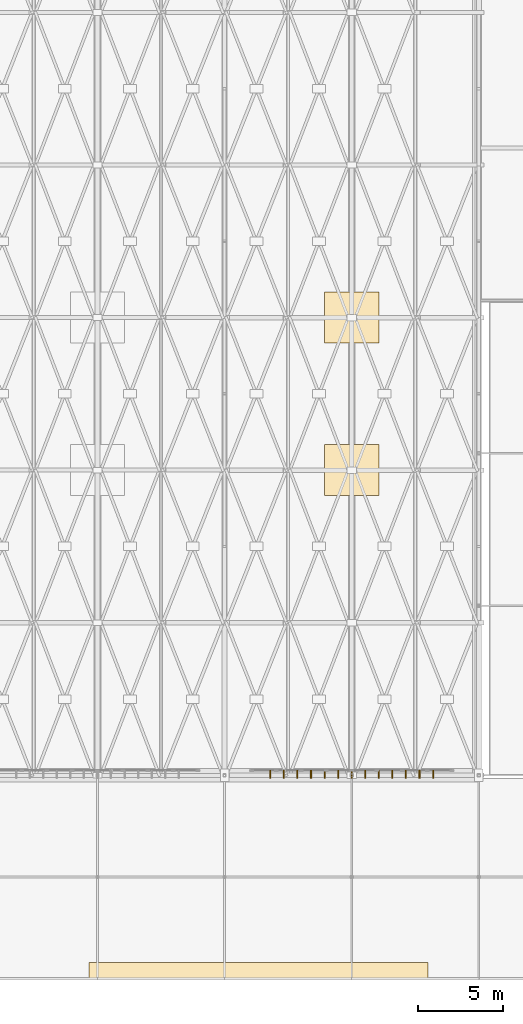
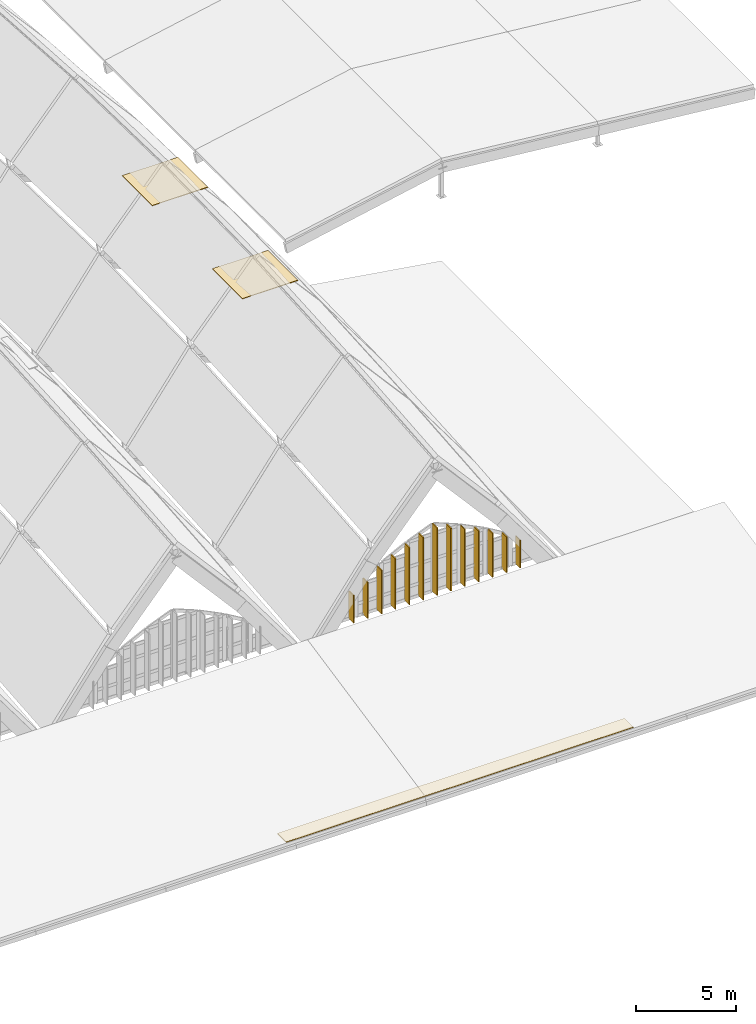
# One storey, part 92 of 93: 13 shading devices, 3 coverings.
"""IFC4 building model written with IfcOpenShell, lengths in metres."""

from ifc_helpers import new_model, si_unit, direction, frame, origin, origin_2d, place, context, subcontext, project, spatial, polyline, rectangle, outline, extrude, material, layer, layer_set, material_profile, profile_set, type_object, element, save


model = new_model("IFC4")

# Units and contexts
model_context = context("Model", 3, precision=1e-05, world=origin(), true_north=direction((0.0, 1.0)))
body_context = subcontext(model_context, "Body", "Model", "MODEL_VIEW")
ifc_project = project(units=[si_unit("LENGTHUNIT", "METRE"), si_unit("AREAUNIT", "SQUARE_METRE"), si_unit("VOLUMEUNIT", "CUBIC_METRE"), si_unit("PLANEANGLEUNIT", "RADIAN"), si_unit("MASSUNIT", "GRAM", prefix="KILO")], contexts=[model_context])

# Site, building, storey
site_placement = place(None, origin())
site = spatial("IfcSite", under=ifc_project, at=site_placement, CompositionType="ELEMENT")
building_placement = place(site_placement, origin())
building = spatial("IfcBuilding", under=site, at=building_placement, Name="Vourika Railside Aquatics Centre", CompositionType="ELEMENT")
storey_placement = place(building_placement, frame((0.0, 0.0, 21.89990234375)))
storey = spatial("IfcBuildingStorey", under=building, at=storey_placement, Name="Roof", CompositionType="ELEMENT", Elevation=21.89990234375)

# Coverings
ifc_material_1 = material(Name="Anodized aluminium", Category="aluminium")
ifc_layer_1 = layer(ifc_material_1, 0.0400390625, Name="COV-ROOF-SEAM40")
ifc_layer_set_1 = layer_set([ifc_layer_1], Name="Anodized aluminium")
covering_type_1 = type_object("IfcCoveringType", Name="COV-ROOF-SEAM40", PredefinedType="ROOFING", material=ifc_layer_set_1)
covering_1_placement = place(storey_placement, frame((0.0, 0.0, -12.369873046875)))
element("IfcCovering", 1, at=covering_1_placement, inside=storey, type_object=covering_type_1, Name="Monsoon Eave Gutter Flashing 4", PredefinedType="ROOFING", context=body_context, shape_type="SweptSolid", body=[
    extrude(outline(polyline([(118.0, 0.050048828125), (138.0, 0.050048828125), (138.0, 0.949951171875), (118.0, 0.949951171875), (118.0, 0.050048828125)])), origin(), (0.0, 0.0, 1.0), 0.0400390625),
])
ifc_material_2 = material(Name="Glulam GL28h", Category="wood")
ifc_layer_2 = layer(ifc_material_2, 0.034912109375, Name="COV-SOFFIT-TIM35")
ifc_layer_set_2 = layer_set([ifc_layer_2], Name="Glulam GL28h")
covering_type_2 = type_object("IfcCoveringType", Name="COV-SOFFIT-TIM35", PredefinedType="CEILING", material=ifc_layer_set_2)
covering_2_placement = place(storey_placement, frame((0.0, 0.0, -1.369384765625)))
element("IfcCovering", 2, at=covering_2_placement, inside=storey, type_object=covering_type_2, Name="Perforated Acoustic Timber Soffit Liner Bay 7-1", PredefinedType="CEILING", context=body_context, shape_type="SweptSolid", body=[
    extrude(outline(polyline([(131.89990234375, 28.5), (135.10009765625, 28.5), (135.10009765625, 31.5), (131.89990234375, 31.5), (131.89990234375, 28.5)])), origin(), (0.0, 0.0, 1.0), 0.037109375),
])
covering_3_placement = place(storey_placement, frame((0.0, 0.0, -1.15478515625)))
element("IfcCovering", 3, at=covering_3_placement, inside=storey, type_object=covering_type_2, Name="Perforated Acoustic Timber Soffit Liner Bay 7-2", PredefinedType="CEILING", context=body_context, shape_type="SweptSolid", body=[
    extrude(outline(polyline([(131.89990234375, 37.5), (135.10009765625, 37.5), (135.10009765625, 40.5), (131.89990234375, 40.5), (131.89990234375, 37.5)])), origin(), (0.0, 0.0, 1.0), 0.036865234375),
])

# Shading devices
ifc_material_3 = material(Name="Bronze-anodized extruded aluminium", Category="aluminium")
ifc_material_profile_1 = material_profile(ifc_material_3, rectangle(XDim=0.06005859375, YDim=0.47998046875, at=origin_2d()), Name="ALU-FIN 60x480")
ifc_profile_set_1 = profile_set([ifc_material_profile_1], Name="Bronze-anodized extruded aluminium")
shading_device_type_1 = type_object("IfcShadingDeviceType", Name="SHD-FIN-F48A", PredefinedType="USERDEFINED", material=ifc_profile_set_1)
shading_device_1_placement = place(storey_placement, frame((128.699951171875, 12.06494140625, -9.8798828125), z_axis=(0.0, 0.0, 1.0), x_axis=(-1.0, 0.0, 0.0)))
element("IfcShadingDevice", 4, at=shading_device_1_placement, inside=storey, type_object=shading_device_type_1, Name="Vertical Solar Fin VSF-0170", ObjectType="FIN", PredefinedType="USERDEFINED", context=body_context, shape_type="SweptSolid", body=[
    extrude(rectangle(XDim=0.06005859375, YDim=0.47998046875, at=origin_2d()), origin(), (0.0, 0.0, 1.0), 1.68603515625),
])
shading_device_2_placement = place(storey_placement, frame((129.5, 12.06494140625, -9.8798828125), z_axis=(0.0, 0.0, 1.0), x_axis=(-1.0, 0.0, 0.0)))
element("IfcShadingDevice", 5, at=shading_device_2_placement, inside=storey, type_object=shading_device_type_1, Name="Vertical Solar Fin VSF-0171", ObjectType="FIN", PredefinedType="USERDEFINED", context=body_context, shape_type="SweptSolid", body=[
    extrude(rectangle(XDim=0.06005859375, YDim=0.47998046875, at=origin_2d()), origin(), (0.0, 0.0, 1.0), 2.196044921875),
])
shading_device_3_placement = place(storey_placement, frame((130.300048828125, 12.06494140625, -9.8798828125), z_axis=(0.0, 0.0, 1.0), x_axis=(-1.0, 0.0, 0.0)))
element("IfcShadingDevice", 6, at=shading_device_3_placement, inside=storey, type_object=shading_device_type_1, Name="Vertical Solar Fin VSF-0172", ObjectType="FIN", PredefinedType="USERDEFINED", context=body_context, shape_type="SweptSolid", body=[
    extrude(rectangle(XDim=0.06005859375, YDim=0.47998046875, at=origin_2d()), origin(), (0.0, 0.0, 1.0), 2.6650390625),
])
shading_device_4_placement = place(storey_placement, frame((131.10009765625, 12.06494140625, -9.8798828125), z_axis=(0.0, 0.0, 1.0), x_axis=(-1.0, 0.0, 0.0)))
element("IfcShadingDevice", 7, at=shading_device_4_placement, inside=storey, type_object=shading_device_type_1, Name="Vertical Solar Fin VSF-0173", ObjectType="FIN", PredefinedType="USERDEFINED", context=body_context, shape_type="SweptSolid", body=[
    extrude(rectangle(XDim=0.06005859375, YDim=0.47998046875, at=origin_2d()), origin(), (0.0, 0.0, 1.0), 3.093017578125),
])
shading_device_5_placement = place(storey_placement, frame((131.89990234375, 12.06494140625, -9.8798828125), z_axis=(0.0, 0.0, 1.0), x_axis=(-1.0, 0.0, 0.0)))
element("IfcShadingDevice", 8, at=shading_device_5_placement, inside=storey, type_object=shading_device_type_1, Name="Vertical Solar Fin VSF-0174", ObjectType="FIN", PredefinedType="USERDEFINED", context=body_context, shape_type="SweptSolid", body=[
    extrude(rectangle(XDim=0.06005859375, YDim=0.47998046875, at=origin_2d()), origin(), (0.0, 0.0, 1.0), 3.47998046875),
])
for number, where, z_axis, x_axis, name in (
    (9, (132.699951171875, 12.06494140625, -9.8798828125), (0.0, 0.0, 1.0), (-1.0, 0.0, 0.0), "Vertical Solar Fin VSF-0175"),
    (10, (134.300048828125, 12.06494140625, -9.8798828125), (0.0, 0.0, 1.0), (-1.0, 0.0, 0.0), "Vertical Solar Fin VSF-0177"),
):
    element("IfcShadingDevice", number, at=place(storey_placement, frame(where, z_axis=z_axis, x_axis=x_axis)), inside=storey, type_object=shading_device_type_1, Name=name, ObjectType="FIN", PredefinedType="USERDEFINED", context=body_context, shape_type="SweptSolid", body=[
        extrude(rectangle(XDim=0.06005859375, YDim=0.47998046875, at=origin_2d()), origin(), (0.0, 0.0, 1.0), 3.824951171875),
    ])
shading_device_6_placement = place(storey_placement, frame((135.10009765625, 12.06494140625, -9.8798828125), z_axis=(0.0, 0.0, 1.0), x_axis=(-1.0, 0.0, 0.0)))
element("IfcShadingDevice", 11, at=shading_device_6_placement, inside=storey, type_object=shading_device_type_1, Name="Vertical Solar Fin VSF-0178", ObjectType="FIN", PredefinedType="USERDEFINED", context=body_context, shape_type="SweptSolid", body=[
    extrude(rectangle(XDim=0.06005859375, YDim=0.47998046875, at=origin_2d()), origin(), (0.0, 0.0, 1.0), 3.47998046875),
])
shading_device_7_placement = place(storey_placement, frame((135.89990234375, 12.06494140625, -9.8798828125), z_axis=(0.0, 0.0, 1.0), x_axis=(-1.0, 0.0, 0.0)))
element("IfcShadingDevice", 12, at=shading_device_7_placement, inside=storey, type_object=shading_device_type_1, Name="Vertical Solar Fin VSF-0179", ObjectType="FIN", PredefinedType="USERDEFINED", context=body_context, shape_type="SweptSolid", body=[
    extrude(rectangle(XDim=0.06005859375, YDim=0.47998046875, at=origin_2d()), origin(), (0.0, 0.0, 1.0), 3.093017578125),
])
shading_device_8_placement = place(storey_placement, frame((136.699951171875, 12.06494140625, -9.8798828125), z_axis=(0.0, 0.0, 1.0), x_axis=(-1.0, 0.0, 0.0)))
element("IfcShadingDevice", 13, at=shading_device_8_placement, inside=storey, type_object=shading_device_type_1, Name="Vertical Solar Fin VSF-0180", ObjectType="FIN", PredefinedType="USERDEFINED", context=body_context, shape_type="SweptSolid", body=[
    extrude(rectangle(XDim=0.06005859375, YDim=0.47998046875, at=origin_2d()), origin(), (0.0, 0.0, 1.0), 2.6650390625),
])
shading_device_9_placement = place(storey_placement, frame((137.5, 12.06494140625, -9.8798828125), z_axis=(0.0, 0.0, 1.0), x_axis=(-1.0, 0.0, 0.0)))
element("IfcShadingDevice", 14, at=shading_device_9_placement, inside=storey, type_object=shading_device_type_1, Name="Vertical Solar Fin VSF-0181", ObjectType="FIN", PredefinedType="USERDEFINED", context=body_context, shape_type="SweptSolid", body=[
    extrude(rectangle(XDim=0.06005859375, YDim=0.47998046875, at=origin_2d()), origin(), (0.0, 0.0, 1.0), 2.196044921875),
])
shading_device_10_placement = place(storey_placement, frame((138.300048828125, 12.06494140625, -9.8798828125), z_axis=(0.0, 0.0, 1.0), x_axis=(-1.0, 0.0, 0.0)))
element("IfcShadingDevice", 15, at=shading_device_10_placement, inside=storey, type_object=shading_device_type_1, Name="Vertical Solar Fin VSF-0182", ObjectType="FIN", PredefinedType="USERDEFINED", context=body_context, shape_type="SweptSolid", body=[
    extrude(rectangle(XDim=0.06005859375, YDim=0.47998046875, at=origin_2d()), origin(), (0.0, 0.0, 1.0), 1.68603515625),
])
ifc_material_profile_2 = material_profile(ifc_material_3, rectangle(XDim=0.06005859375, YDim=0.47998046875, at=origin_2d()), Name="ALU-FIN 60x480")
ifc_profile_set_2 = profile_set([ifc_material_profile_2], Name="Bronze-anodized extruded aluminium")
shading_device_type_2 = type_object("IfcShadingDeviceType", Name="SHD-FIN-F48B", PredefinedType="USERDEFINED", material=ifc_profile_set_2)
shading_device_11_placement = place(storey_placement, frame((133.5, 12.06494140625, -9.8798828125), z_axis=(0.0, 0.0, 1.0), x_axis=(-1.0, 0.0, 0.0)))
element("IfcShadingDevice", 16, at=shading_device_11_placement, inside=storey, type_object=shading_device_type_2, Name="Vertical Solar Fin VSF-0176", ObjectType="FIN", PredefinedType="USERDEFINED", context=body_context, shape_type="SweptSolid", body=[
    extrude(rectangle(XDim=0.06005859375, YDim=0.47998046875, at=origin_2d()), origin(), (0.0, 0.0, 1.0), 4.1298828125),
])

save(model, "model.ifc")
